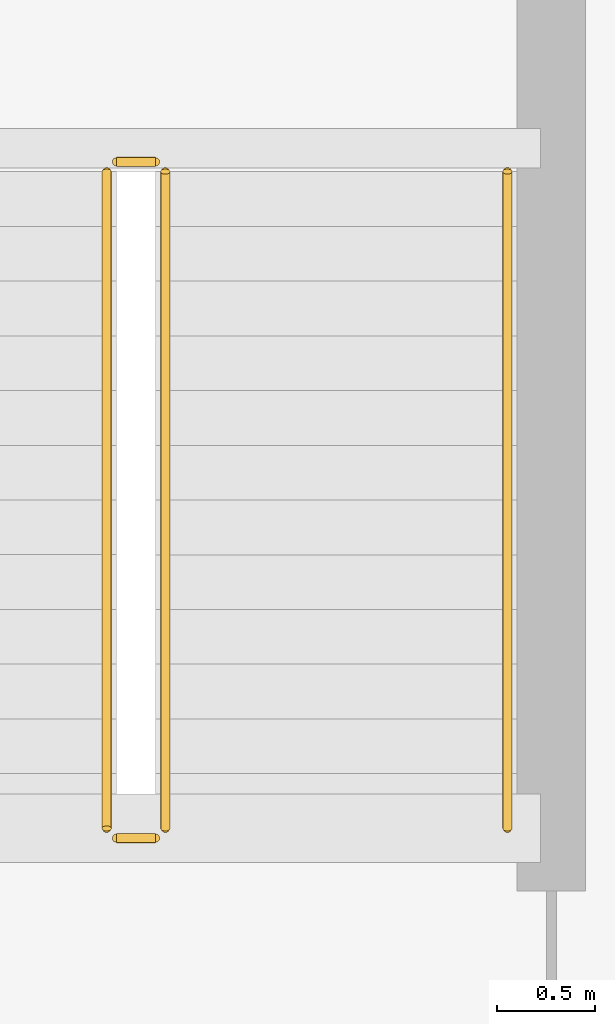
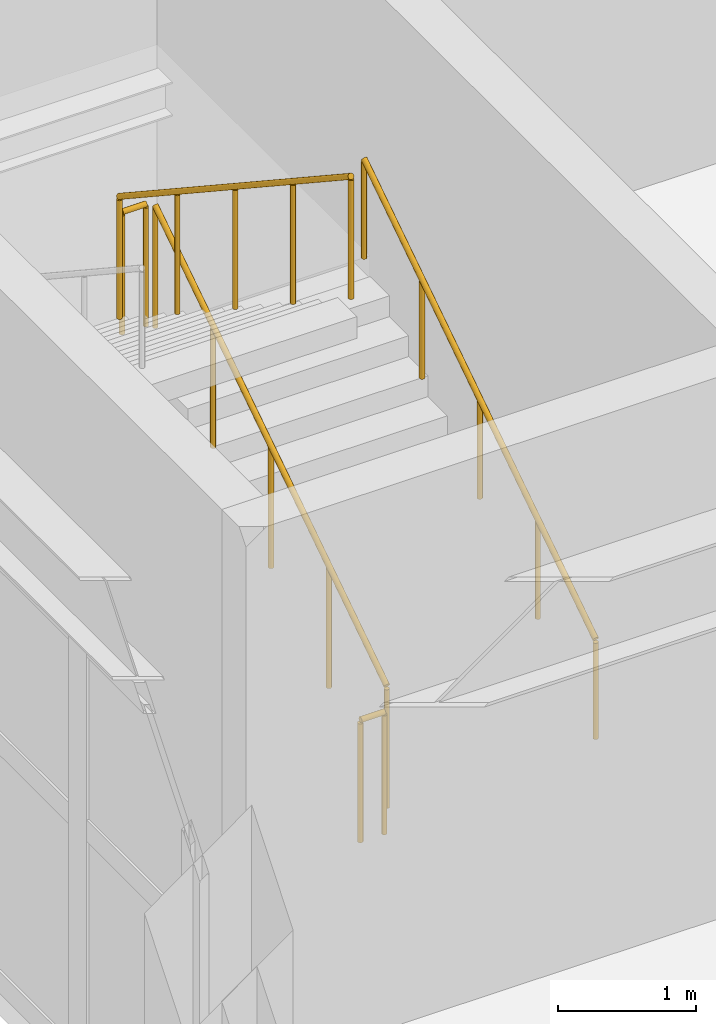
# One storey, part 84 of 96: 5 railings.
"""IFC4 building model written with IfcOpenShell, lengths in metres."""

from ifc_helpers import new_model, si_unit, direction, frame, origin, origin_2d, place, context, subcontext, project, spatial, circle, extrude, material, type_object, element, save


model = new_model("IFC4")

# Units and contexts
model_context = context("Model", 3, precision=1e-05, world=origin(), true_north=direction((0.0, 1.0)))
body_context = subcontext(model_context, "Body", "Model", "MODEL_VIEW")
ifc_project = project(units=[si_unit("LENGTHUNIT", "METRE"), si_unit("AREAUNIT", "SQUARE_METRE"), si_unit("VOLUMEUNIT", "CUBIC_METRE"), si_unit("PLANEANGLEUNIT", "RADIAN"), si_unit("MASSUNIT", "GRAM", prefix="KILO")], contexts=[model_context])

# Site, building, storey
site_placement = place(None, origin())
site = spatial("IfcSite", under=ifc_project, at=site_placement, CompositionType="ELEMENT")
building_placement = place(site_placement, origin())
building = spatial("IfcBuilding", under=site, at=building_placement, Name="Vaelkrest Opera House", CompositionType="ELEMENT")
storey_placement = place(building_placement, frame((0.0, 0.0, 5.39990234375)))
storey = spatial("IfcBuildingStorey", under=building, at=storey_placement, Name="L01", CompositionType="ELEMENT", Elevation=5.39990234375)

# Railings
ifc_material = material(Name="Dark bronze anodized aluminium", Category="aluminium")
railing_type_1 = type_object("IfcRailingType", Name="GR02", PredefinedType="GUARDRAIL", material=ifc_material)
railing_1_placement = place(storey_placement, frame((-26.60009765625, -43.35009765625, 0.184814453125)))
element("IfcRailing", 1, at=railing_1_placement, inside=storey, type_object=railing_type_1, Name="L01 ST03 stair guard 1", PredefinedType="GUARDRAIL", context=body_context, shape_type="SweptSolid", body=[
    extrude(circle(Radius=0.02392578125, at=origin_2d()), frame((0.0, 0.0, 1.076171875), z_axis=(0.0, 0.834876476806, 0.550437342915), x_axis=(-1.0, 0.0, 0.0)), (0.0, 0.0, 1.0), 4.024658203125),
    extrude(circle(Radius=0.02099609375, at=origin_2d()), origin(), (0.0, 0.0, 1.0), 1.052001953125),
    extrude(circle(Radius=0.02099609375, at=origin_2d()), frame((0.0, 0.840087890625, 0.5537109375)), (0.0, 0.0, 1.0), 1.052001953125),
    extrude(circle(Radius=0.02099609375, at=origin_2d()), frame((0.0, 1.68017578125, 1.107666015625)), (0.0, 0.0, 1.0), 1.052001953125),
    extrude(circle(Radius=0.02099609375, at=origin_2d()), frame((0.0, 2.52001953125, 1.66162109375)), (0.0, 0.0, 1.0), 1.052001953125),
    extrude(circle(Radius=0.02099609375, at=origin_2d()), frame((0.0, 3.360107421875, 2.21533203125)), (0.0, 0.0, 1.0), 1.052001953125),
])
railing_2_placement = place(storey_placement, frame((-26.64990234375, -39.93994140625, 2.400146484375)))
element("IfcRailing", 2, at=railing_2_placement, inside=storey, type_object=railing_type_1, Name="L01 ST03 stair guard 2", PredefinedType="GUARDRAIL", context=body_context, shape_type="SweptSolid", body=[
    extrude(circle(Radius=0.02392578125, at=origin_2d()), frame((0.0, 0.0, 1.076171875), z_axis=(-1.0, 0.0, 0.0), x_axis=(0.0, -1.0, 0.0)), (0.0, 0.0, 1.0), 0.2001953125),
    extrude(circle(Radius=0.02099609375, at=origin_2d()), origin(), (0.0, 0.0, 1.0), 1.052001953125),
    extrude(circle(Radius=0.02099609375, at=origin_2d()), frame((-0.2001953125, 0.0, 0.0)), (0.0, 0.0, 1.0), 1.052001953125),
])
railing_3_placement = place(storey_placement, frame((-26.89990234375, -39.989990234375, 2.584716796875)))
element("IfcRailing", 3, at=railing_3_placement, inside=storey, type_object=railing_type_1, Name="L01 ST03 stair guard 3", PredefinedType="GUARDRAIL", context=body_context, shape_type="SweptSolid", body=[
    extrude(circle(Radius=0.02392578125, at=origin_2d()), frame((0.0, 0.0, 1.076171875), z_axis=(0.0, -0.834876476806, 0.550437342915), x_axis=(1.0, 0.0, 0.0)), (0.0, 0.0, 1.0), 4.024658203125),
    extrude(circle(Radius=0.02099609375, at=origin_2d()), origin(), (0.0, 0.0, 1.0), 1.052001953125),
    extrude(circle(Radius=0.02099609375, at=origin_2d()), frame((0.0, -0.840087890625, 0.5537109375)), (0.0, 0.0, 1.0), 1.052001953125),
    extrude(circle(Radius=0.02099609375, at=origin_2d()), frame((0.0, -1.68017578125, 1.107666015625)), (0.0, 0.0, 1.0), 1.052001953125),
    extrude(circle(Radius=0.02099609375, at=origin_2d()), frame((0.0, -2.52001953125, 1.66162109375)), (0.0, 0.0, 1.0), 1.052001953125),
    extrude(circle(Radius=0.02099609375, at=origin_2d()), frame((0.0, -3.360107421875, 2.21533203125)), (0.0, 0.0, 1.0), 1.052001953125),
])
railing_4_placement = place(storey_placement, frame((-26.64990234375, -43.39990234375, 0.0)))
element("IfcRailing", 4, at=railing_4_placement, inside=storey, type_object=railing_type_1, Name="L01 ST03 stair guard 4", PredefinedType="GUARDRAIL", context=body_context, shape_type="SweptSolid", body=[
    extrude(circle(Radius=0.02392578125, at=origin_2d()), frame((0.0, 0.0, 1.076171875), z_axis=(-1.0, 0.0, 0.0), x_axis=(0.0, -1.0, 0.0)), (0.0, 0.0, 1.0), 0.2001953125),
    extrude(circle(Radius=0.02099609375, at=origin_2d()), origin(), (0.0, 0.0, 1.0), 1.052001953125),
    extrude(circle(Radius=0.02099609375, at=origin_2d()), frame((-0.2001953125, 0.0, 0.0)), (0.0, 0.0, 1.0), 1.052001953125),
])
railing_type_2 = type_object("IfcRailingType", Name="HR02", PredefinedType="HANDRAIL", material=ifc_material)
railing_5_placement = place(storey_placement, frame((-24.85009765625, -43.35009765625, 0.184814453125)))
element("IfcRailing", 5, at=railing_5_placement, inside=storey, type_object=railing_type_2, Name="L01 ST03 stair handrail 1", PredefinedType="HANDRAIL", context=body_context, shape_type="SweptSolid", body=[
    extrude(circle(Radius=0.02392578125, at=origin_2d()), frame((0.0, 0.0, 0.8759765625), z_axis=(0.0, 0.834876476806, 0.550437342915), x_axis=(-1.0, 0.0, 0.0)), (0.0, 0.0, 1.0), 4.024658203125),
    extrude(circle(Radius=0.02099609375, at=origin_2d()), origin(), (0.0, 0.0, 1.0), 0.851806640625),
    extrude(circle(Radius=0.02099609375, at=origin_2d()), frame((0.0, 0.840087890625, 0.5537109375)), (0.0, 0.0, 1.0), 0.851806640625),
    extrude(circle(Radius=0.02099609375, at=origin_2d()), frame((0.0, 1.68017578125, 1.107666015625)), (0.0, 0.0, 1.0), 0.851806640625),
    extrude(circle(Radius=0.02099609375, at=origin_2d()), frame((0.0, 2.52001953125, 1.66162109375)), (0.0, 0.0, 1.0), 0.851806640625),
    extrude(circle(Radius=0.02099609375, at=origin_2d()), frame((0.0, 3.360107421875, 2.21533203125)), (0.0, 0.0, 1.0), 0.851806640625),
])

save(model, "model.ifc")
